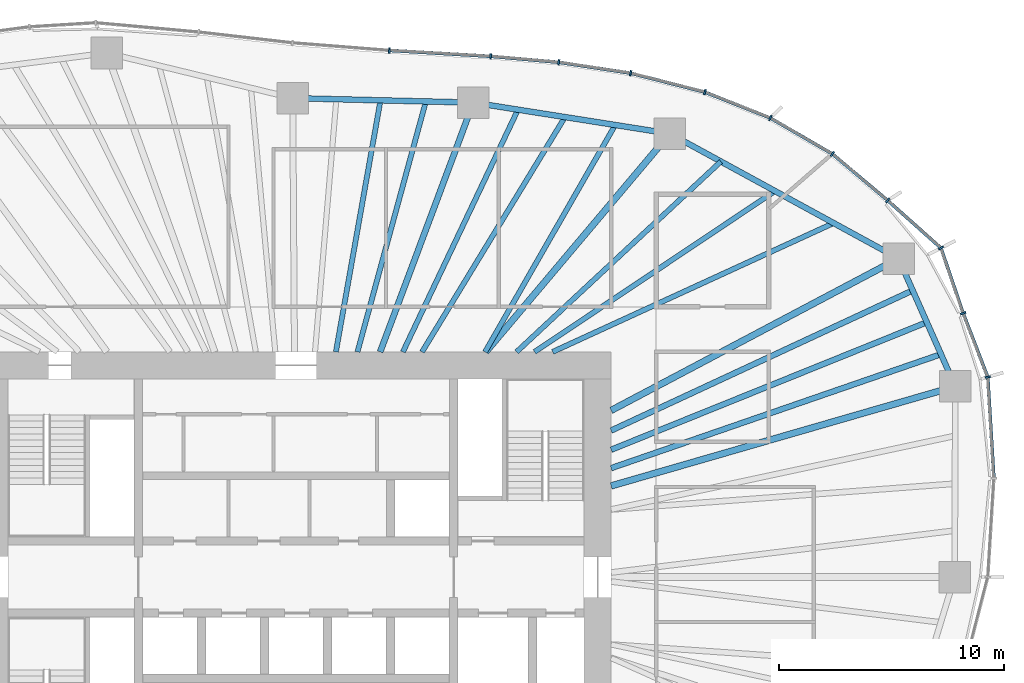
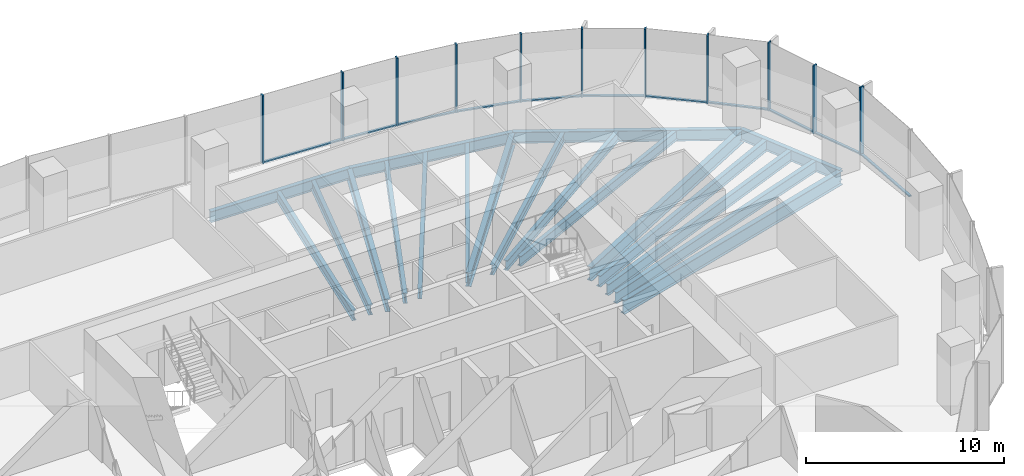
# One storey, part 6 of 18: 22 members, 19 beams, 5 elements without a shape of their own.
"""IFC4 building model written with IfcOpenShell, lengths in metres."""

import ifcopenshell
import ifcopenshell.guid

model = None  # the IFC model being written
_history = None  # IfcOwnerHistory: only IFC2X3 demands one
_inside = {}  # id of a spatial element -> (the spatial element, [elements in it])
_under = {}  # id of a project, library or spatial element -> (it, [spatial elements below it])
_declared = {}  # id of a project -> (the project, [libraries it declares])
_typed = {}  # id of a type object -> (the type object, [elements of that type])
_made_of = {}  # id of a material, layer set ... -> (it, [elements and type objects made of it])


def new_model(schema):
    """Start an empty IFC model of exactly this schema.

    Asked for "IFC4X3", IfcOpenShell would pick the latest addendum, in which some entities
    have other attributes; the version numbers below select the first issue.
    IFC2X3 requires an IfcOwnerHistory on every rooted entity: one is made here for all.
    """
    global model, _history
    if schema == "IFC4X3":
        model = ifcopenshell.file(schema_version=(4, 3, 0, 0))
    else:
        model = ifcopenshell.file(schema=schema)
    _inside.clear()
    _under.clear()
    _declared.clear()
    _typed.clear()
    _made_of.clear()
    _history = None
    if model.schema == "IFC2X3":
        org = make("IfcOrganization", Name="unknown")
        user = make(
            "IfcPersonAndOrganization",
            ThePerson=make("IfcPerson", FamilyName="unknown"),
            TheOrganization=org,
        )
        app = make(
            "IfcApplication",
            ApplicationDeveloper=org,
            Version="unknown",
            ApplicationFullName="unknown",
            ApplicationIdentifier="unknown",
        )
        _history = make(
            "IfcOwnerHistory",
            OwningUser=user,
            OwningApplication=app,
            ChangeAction="ADDED",
            CreationDate=0,
        )
    return model


def make(cls, **values):
    """One entity of the class cls with the attributes given. An attribute that is None is left unset."""
    return model.create_entity(
        cls, **{name: value for name, value in values.items() if value is not None}
    )


def rooted(cls, **values):
    """An entity with a GlobalId (a new one), such as an element, a storey or a relation."""
    return make(cls, GlobalId=ifcopenshell.guid.new(), OwnerHistory=_history, **values)


def si_unit(unit_type, name, prefix=None):
    """IfcSIUnit, for example si_unit("LENGTHUNIT", "METRE", prefix="MILLI")."""
    return make("IfcSIUnit", UnitType=unit_type, Prefix=prefix, Name=name)


def assignment(units):
    """IfcUnitAssignment: the units of a project."""
    return None if units is None else make("IfcUnitAssignment", Units=units)


def point(xyz):
    """IfcCartesianPoint."""
    return None if xyz is None else make("IfcCartesianPoint", Coordinates=xyz)


def direction(xyz):
    """IfcDirection."""
    return None if xyz is None else make("IfcDirection", DirectionRatios=xyz)


def frame(location, z_axis=None, x_axis=None):
    """IfcAxis2Placement3D, a coordinate frame: its origin and axes. An axis left out is left unset."""
    return make(
        "IfcAxis2Placement3D",
        Location=point(location),
        Axis=direction(z_axis),
        RefDirection=direction(x_axis),
    )


def frame_2d(location, x_axis=None):
    """IfcAxis2Placement2D, a coordinate frame in the plane: its origin and x axis."""
    return make(
        "IfcAxis2Placement2D", Location=point(location), RefDirection=direction(x_axis)
    )


def origin():
    """The frame at (0, 0, 0) with its axes left unset."""
    return frame((0.0, 0.0, 0.0))


def origin_2d():
    """The frame at (0, 0) in the plane with its x axis left unset."""
    return frame_2d((0.0, 0.0))


def place(relative_to, where):
    """IfcLocalPlacement: puts the frame where relative to a parent placement (None: the world)."""
    return make(
        "IfcLocalPlacement", PlacementRelTo=relative_to, RelativePlacement=where
    )


def context(
    kind, dimensions, precision=None, world=None, true_north=None, identifier=None
):
    """IfcGeometricRepresentationContext, for example the 3D "Model" context."""
    return make(
        "IfcGeometricRepresentationContext",
        ContextIdentifier=identifier,
        ContextType=kind,
        CoordinateSpaceDimension=dimensions,
        Precision=precision,
        WorldCoordinateSystem=world,
        TrueNorth=true_north,
    )


def subcontext(parent, identifier, kind, view, scale=None):
    """IfcGeometricRepresentationSubContext, for example "Body" below "Model"."""
    return make(
        "IfcGeometricRepresentationSubContext",
        ContextIdentifier=identifier,
        ContextType=kind,
        ParentContext=parent,
        TargetScale=scale,
        TargetView=view,
    )


def project(units=None, contexts=None):
    """IfcProject with its units and contexts."""
    return rooted(
        "IfcProject",
        Name="project",
        RepresentationContexts=contexts,
        UnitsInContext=assignment(units),
    )


def spatial(cls, under=None, at=None, **own):
    """A site, building, storey or space (cls), placed at a placement, below another one or the project."""
    s = rooted(cls, ObjectPlacement=at, **own)
    if under is not None:
        _under.setdefault(under.id(), (under, []))[1].append(s)
    return s


def profile(cls, at=None, kind="AREA", **sizes):
    """A parametric profile (cls). Its sizes go by their IFC names, for example OverallWidth=200.0."""
    return make(cls, ProfileType=kind, Position=at, **sizes)


def rectangle(**sizes):
    """IfcRectangleProfileDef."""
    return profile("IfcRectangleProfileDef", **sizes)


def i_section(**sizes):
    """IfcIShapeProfileDef."""
    return profile("IfcIShapeProfileDef", **sizes)


def extrude(swept, where, along, depth):
    """IfcExtrudedAreaSolid: the profile swept, set in the frame where, extruded along a direction by depth."""
    return make(
        "IfcExtrudedAreaSolid",
        SweptArea=swept,
        Position=where,
        ExtrudedDirection=direction(along),
        Depth=depth,
    )


def shape(context_of_items, identifier, shape_type, items):
    """IfcShapeRepresentation: the items that make up one representation, for example the "Body"."""
    return make(
        "IfcShapeRepresentation",
        ContextOfItems=context_of_items,
        RepresentationIdentifier=identifier,
        RepresentationType=shape_type,
        Items=items,
    )


def material(Name=None, Category=None):
    """IfcMaterial."""
    return make("IfcMaterial", Name=Name, Category=Category)


def material_profile(
    of_material, cross_section, Name=None, Category=None, Priority=None
):
    """IfcMaterialProfile: a cross section and its material."""
    return make(
        "IfcMaterialProfile",
        Name=Name,
        Material=of_material,
        Profile=cross_section,
        Priority=Priority,
        Category=Category,
    )


def profile_set(profiles, Name=None, composite=None):
    """IfcMaterialProfileSet."""
    return make(
        "IfcMaterialProfileSet",
        Name=Name,
        MaterialProfiles=profiles,
        CompositeProfile=composite,
    )


def made_of(thing, what):
    """Note that an element or type object is made of a material, layer set ...; save() writes the relation."""
    if what is not None:
        _made_of.setdefault(what.id(), (what, []))[1].append(thing)
    return thing


def type_object(cls, material=None, **own):
    """A type object (cls), such as IfcWallType, which elements share."""
    return made_of(rooted(cls, **own), material)


def element(
    cls,
    number,
    at=None,
    inside=None,
    cuts=None,
    type_object=None,
    material=None,
    context=None,
    identifier="Body",
    shape_type=None,
    held_by="IfcProductDefinitionShape",
    body=None,
    shapes=None,
    **own,
):
    """One element of the class cls, such as IfcWall. Its Tag is "e" and its number.

    at: its placement. inside: the storey or other place that contains it. cuts: it is an
    opening in that element (IfcRelVoidsElement). A single representation is given by context,
    identifier, shape_type and body (its items); several are given by shapes. held_by: the class
    of the entity that holds the representations. save() writes the other relations.
    """
    e = rooted(cls, Tag="e%d" % number, ObjectPlacement=at, **own)
    if body is not None:
        shapes = [shape(context, identifier, shape_type, body)]
    if shapes is not None:
        e.Representation = make(held_by, Representations=shapes)
    if inside is not None:
        _inside.setdefault(inside.id(), (inside, []))[1].append(e)
    if cuts is not None:
        rooted(
            "IfcRelVoidsElement", RelatingBuildingElement=cuts, RelatedOpeningElement=e
        )
    if type_object is not None:
        _typed.setdefault(type_object.id(), (type_object, []))[1].append(e)
    return made_of(e, material)


def aggregate(whole, parts):
    """IfcRelAggregates: a whole, such as a stair, and the parts it consists of."""
    return rooted("IfcRelAggregates", RelatingObject=whole, RelatedObjects=parts)


def save(model, path):
    """Write the relations noted so far, then the file.

    IfcRelAggregates (storeys below a building ...), IfcRelContainedInSpatialStructure (elements
    in a storey), IfcRelDefinesByType, IfcRelAssociatesMaterial and IfcRelDeclares: one each for
    every whole, place, type object, material and project.
    """
    for whole, parts in _under.values():
        aggregate(whole, parts)
    for where, things in _inside.values():
        rooted(
            "IfcRelContainedInSpatialStructure",
            RelatedElements=things,
            RelatingStructure=where,
        )
    for kind, things in _typed.values():
        rooted("IfcRelDefinesByType", RelatedObjects=things, RelatingType=kind)
    for what, things in _made_of.values():
        rooted("IfcRelAssociatesMaterial", RelatedObjects=things, RelatingMaterial=what)
    for by, libraries in _declared.values():
        rooted("IfcRelDeclares", RelatingContext=by, RelatedDefinitions=libraries)
    model.write(path)


model = new_model("IFC4")

# Units and contexts
model_context = context("Model", 3, precision=1e-05, world=origin(), true_north=direction((0.0, 1.0)))
body_context = subcontext(model_context, "Body", "Model", "MODEL_VIEW")
ifc_project = project(units=[si_unit("LENGTHUNIT", "METRE"), si_unit("AREAUNIT", "SQUARE_METRE"), si_unit("VOLUMEUNIT", "CUBIC_METRE"), si_unit("PLANEANGLEUNIT", "RADIAN"), si_unit("MASSUNIT", "GRAM", prefix="KILO")], contexts=[model_context])

# Site, building, storey
site_placement = place(None, origin())
site = spatial("IfcSite", under=ifc_project, at=site_placement, CompositionType="ELEMENT")
building_placement = place(site_placement, origin())
building = spatial("IfcBuilding", under=site, at=building_placement, Name="Ghaith Harvest Tower", CompositionType="ELEMENT")
storey_placement = place(building_placement, frame((0.0, 0.0, 147.0)))
storey = spatial("IfcBuildingStorey", under=building, at=storey_placement, Name="L31", CompositionType="ELEMENT", Elevation=147.0)

# Curtain wall, members
ifc_material_1 = material(Name="Black anodised aluminium and fritted glass", Category="aluminium")
curtain_wall_type = type_object("IfcCurtainWallType", Name="CW-L CURTAIN WALL", PredefinedType="NOTDEFINED", material=ifc_material_1)
curtain_wall_1_placement = place(storey_placement, origin())
curtain_wall_1 = element("IfcCurtainWall", 1, at=curtain_wall_1_placement, inside=storey, type_object=curtain_wall_type, Name="Curtain wall CW-L bay 02 L31", PredefinedType="NOTDEFINED")
ifc_material_2 = material(Name="Aluminium, black anodised", Category="aluminium")
ifc_material_profile_1 = material_profile(ifc_material_2, rectangle(XDim=0.080078125, YDim=0.239990234375, at=origin_2d()), Name="CW-L MULLION 80x240")
ifc_profile_set_1 = profile_set([ifc_material_profile_1], Name="Aluminium, black anodised")
member_type_1 = type_object("IfcMemberType", Name="CW-L MULLION 80x240", PredefinedType="MULLION", material=ifc_profile_set_1)
member_1_placement = place(storey_placement, frame((30.727294921875, 8.880859375, 0.0), z_axis=(0.0, 0.0, 1.0), x_axis=(-0.183070248196, 0.983099834313, 0.0)))
member_1 = element("IfcMember", 2, at=member_1_placement, type_object=member_type_1, Name="CW-L mullion 1 bay 02 L31", PredefinedType="MULLION", context=body_context, shape_type="SweptSolid", body=[
    extrude(rectangle(XDim=0.080078125, YDim=0.239990234375, at=origin_2d()), origin(), (0.0, 0.0, 1.0), 4.199951171875),
])
member_2_placement = place(storey_placement, frame((29.634521484375, 11.7158203125, 0.0), z_axis=(0.0, 0.0, 1.0), x_axis=(-0.340771198528, 0.940146260033, 0.0)))
member_2 = element("IfcMember", 3, at=member_2_placement, type_object=member_type_1, Name="CW-L mullion 2 bay 02 L31", PredefinedType="MULLION", context=body_context, shape_type="SweptSolid", body=[
    extrude(rectangle(XDim=0.080078125, YDim=0.239990234375, at=origin_2d()), origin(), (0.0, 0.0, 1.0), 4.199951171875),
])
member_3_placement = place(storey_placement, frame((28.64990234375, 14.61181640625, 0.0), z_axis=(0.0, 0.0, 1.0), x_axis=(-0.556324287652, 0.830965274225, 0.0)))
member_3 = element("IfcMember", 4, at=member_3_placement, type_object=member_type_1, Name="CW-L mullion 3 bay 02 L31", PredefinedType="MULLION", context=body_context, shape_type="SweptSolid", body=[
    extrude(rectangle(XDim=0.080078125, YDim=0.239990234375, at=origin_2d()), origin(), (0.0, 0.0, 1.0), 4.199951171875),
])

curtain_wall_2_placement = place(storey_placement, origin())
curtain_wall_2 = element("IfcCurtainWall", 5, at=curtain_wall_2_placement, inside=storey, type_object=curtain_wall_type, Name="Curtain wall CW-L bay 03 L31", PredefinedType="NOTDEFINED")
member_4_placement = place(storey_placement, frame((26.28076171875, 16.725341796875, 0.0), z_axis=(0.0, 0.0, 1.0), x_axis=(-0.755999423268, 0.654572281737, 0.0)))
member_4 = element("IfcMember", 6, at=member_4_placement, type_object=member_type_1, Name="CW-L mullion 1 bay 03 L31", PredefinedType="MULLION", context=body_context, shape_type="SweptSolid", body=[
    extrude(rectangle(XDim=0.080078125, YDim=0.239990234375, at=origin_2d()), origin(), (0.0, 0.0, 1.0), 4.199951171875),
])
member_5_placement = place(storey_placement, frame((23.82177734375, 18.792236328125, 0.0), z_axis=(0.0, 0.0, 1.0), x_axis=(-0.818228862146, 0.574892624018, 0.0)))
member_5 = element("IfcMember", 7, at=member_5_placement, type_object=member_type_1, Name="CW-L mullion 2 bay 03 L31", PredefinedType="MULLION", context=body_context, shape_type="SweptSolid", body=[
    extrude(rectangle(XDim=0.080078125, YDim=0.239990234375, at=origin_2d()), origin(), (0.0, 0.0, 1.0), 4.199951171875),
])
member_6_placement = place(storey_placement, frame((21.066162109375, 20.38916015625, 0.0), z_axis=(0.0, 0.0, 1.0), x_axis=(-0.899713343282, 0.436481270985, 0.0)))
member_6 = element("IfcMember", 8, at=member_6_placement, type_object=member_type_1, Name="CW-L mullion 3 bay 03 L31", PredefinedType="MULLION", context=body_context, shape_type="SweptSolid", body=[
    extrude(rectangle(XDim=0.080078125, YDim=0.239990234375, at=origin_2d()), origin(), (0.0, 0.0, 1.0), 4.199951171875),
])

curtain_wall_3_placement = place(storey_placement, origin())
curtain_wall_3 = element("IfcCurtainWall", 9, at=curtain_wall_3_placement, inside=storey, type_object=curtain_wall_type, Name="Curtain wall CW-L bay 04 L31", PredefinedType="NOTDEFINED")
member_7_placement = place(storey_placement, frame((18.162353515625, 21.537841796875, 0.0), z_axis=(0.0, 0.0, 1.0), x_axis=(-0.952152258113, 0.30562407852, 0.0)))
member_7 = element("IfcMember", 10, at=member_7_placement, type_object=member_type_1, Name="CW-L mullion 1 bay 04 L31", PredefinedType="MULLION", context=body_context, shape_type="SweptSolid", body=[
    extrude(rectangle(XDim=0.080078125, YDim=0.239990234375, at=origin_2d()), origin(), (0.0, 0.0, 1.0), 4.199951171875),
])
member_8_placement = place(storey_placement, frame((14.86474609375, 22.379638671875, 0.0), z_axis=(0.0, 0.0, 1.0), x_axis=(-0.979751952122, 0.200215165041, 0.0)))
member_8 = element("IfcMember", 11, at=member_8_placement, type_object=member_type_1, Name="CW-L mullion 2 bay 04 L31", PredefinedType="MULLION", context=body_context, shape_type="SweptSolid", body=[
    extrude(rectangle(XDim=0.080078125, YDim=0.239990234375, at=origin_2d()), origin(), (0.0, 0.0, 1.0), 4.199951171875),
])
member_9_placement = place(storey_placement, frame((11.672607421875, 22.864013671875, 0.0), z_axis=(0.0, 0.0, 1.0), x_axis=(-0.992800497873, 0.119779678673, 0.0)))
member_9 = element("IfcMember", 12, at=member_9_placement, type_object=member_type_1, Name="CW-L mullion 3 bay 04 L31", PredefinedType="MULLION", context=body_context, shape_type="SweptSolid", body=[
    extrude(rectangle(XDim=0.080078125, YDim=0.239990234375, at=origin_2d()), origin(), (0.0, 0.0, 1.0), 4.199951171875),
])

curtain_wall_4_placement = place(storey_placement, origin())
curtain_wall_4 = element("IfcCurtainWall", 13, at=curtain_wall_4_placement, inside=storey, type_object=curtain_wall_type, Name="Curtain wall CW-L bay 05 L31", PredefinedType="NOTDEFINED")
member_10_placement = place(storey_placement, frame((8.646728515625, 23.1298828125, 0.0), z_axis=(0.0, 0.0, 1.0), x_axis=(-0.997558767319, 0.069831982257, 0.0)))
member_10 = element("IfcMember", 14, at=member_10_placement, type_object=member_type_1, Name="CW-L mullion 1 bay 05 L31", PredefinedType="MULLION", context=body_context, shape_type="SweptSolid", body=[
    extrude(rectangle(XDim=0.080078125, YDim=0.239990234375, at=origin_2d()), origin(), (0.0, 0.0, 1.0), 4.199951171875),
])
member_11_placement = place(storey_placement, frame((4.146728515625, 23.390869140625, 0.0), z_axis=(0.0, 0.0, 1.0), x_axis=(-0.997689895047, 0.067932858925, 0.0)))
member_11 = element("IfcMember", 15, at=member_11_placement, type_object=member_type_1, Name="CW-L mullion 2 bay 05 L31", PredefinedType="MULLION", context=body_context, shape_type="SweptSolid", body=[
    extrude(rectangle(XDim=0.080078125, YDim=0.239990234375, at=origin_2d()), origin(), (0.0, 0.0, 1.0), 4.199951171875),
])

# Curtain wall, member
curtain_wall_5_placement = place(storey_placement, origin())
curtain_wall_5 = element("IfcCurtainWall", 16, at=curtain_wall_5_placement, inside=storey, type_object=curtain_wall_type, Name="Curtain wall CW-L bay 01 L31", PredefinedType="NOTDEFINED")
ifc_material_3 = material(Name="Aluminium, black anodised", Category="aluminium")
ifc_material_profile_2 = material_profile(ifc_material_3, rectangle(XDim=0.14990234375, YDim=0.080078125, at=origin_2d()), Name="CW-L TRANSOM 150x80")
ifc_profile_set_2 = profile_set([ifc_material_profile_2], Name="Aluminium, black anodised")
member_type_2 = type_object("IfcMemberType", Name="CW-L TRANSOM 150x80", PredefinedType="USERDEFINED", material=ifc_profile_set_2)
member_12_placement = place(storey_placement, frame((30.996337890625, 4.4296875, 0.0400390625), z_axis=(-0.060328261132, 0.99817859169, 0.0), x_axis=(-0.99817859169, -0.060328261132, 0.0)))
member_12 = element("IfcMember", 17, at=member_12_placement, type_object=member_type_2, Name="CW-L transom 2 bay 01 L31", ObjectType="TRANSOM", PredefinedType="USERDEFINED", context=body_context, shape_type="SweptSolid", body=[
    extrude(rectangle(XDim=0.14990234375, YDim=0.080078125, at=origin_2d()), origin(), (0.0, 0.0, 1.0), 4.419189453125),
])
aggregate(curtain_wall_5, [member_12])

# Member
member_13_placement = place(storey_placement, frame((30.712890625, 8.918212890625, 0.0400390625), z_axis=(-0.359637050526, 0.933092274048, 0.0), x_axis=(-0.933092274048, -0.359637050526, 0.0)))
member_13 = element("IfcMember", 18, at=member_13_placement, type_object=member_type_2, Name="CW-L transom 1 bay 02 L31", ObjectType="TRANSOM", PredefinedType="USERDEFINED", context=body_context, shape_type="SweptSolid", body=[
    extrude(rectangle(XDim=0.14990234375, YDim=0.080078125, at=origin_2d()), origin(), (0.0, 0.0, 1.0), 2.95849609375),
])

member_14_placement = place(storey_placement, frame((29.62158203125, 11.75390625, 0.0400390625), z_axis=(-0.321877752664, 0.946781237847, 0.0), x_axis=(-0.946781237847, -0.321877752664, 0.0)))
member_14 = element("IfcMember", 19, at=member_14_placement, type_object=member_type_2, Name="CW-L transom 2 bay 02 L31", ObjectType="TRANSOM", PredefinedType="USERDEFINED", context=body_context, shape_type="SweptSolid", body=[
    extrude(rectangle(XDim=0.14990234375, YDim=0.080078125, at=origin_2d()), origin(), (0.0, 0.0, 1.0), 2.978515625),
])

member_15_placement = place(storey_placement, frame((28.6201171875, 14.638427734375, 0.0400390625), z_axis=(-0.74622871112, 0.665689650438, 0.0), x_axis=(-0.665689650438, -0.74622871112, 0.0)))
member_15 = element("IfcMember", 20, at=member_15_placement, type_object=member_type_2, Name="CW-L transom 3 bay 02 L31", ObjectType="TRANSOM", PredefinedType="USERDEFINED", context=body_context, shape_type="SweptSolid", body=[
    extrude(rectangle(XDim=0.14990234375, YDim=0.080078125, at=origin_2d()), origin(), (0.0, 0.0, 1.0), 3.094970703125),
])

aggregate(curtain_wall_1, [member_1, member_13, member_2, member_14, member_3, member_15])

member_16_placement = place(storey_placement, frame((26.25, 16.7509765625, 0.0400390625), z_axis=(-0.765428400685, 0.643521066808, 0.0), x_axis=(-0.643521066808, -0.765428400685, 0.0)))
member_16 = element("IfcMember", 21, at=member_16_placement, type_object=member_type_2, Name="CW-L transom 1 bay 03 L31", ObjectType="TRANSOM", PredefinedType="USERDEFINED", context=body_context, shape_type="SweptSolid", body=[
    extrude(rectangle(XDim=0.14990234375, YDim=0.080078125, at=origin_2d()), origin(), (0.0, 0.0, 1.0), 3.132080078125),
])

member_17_placement = place(storey_placement, frame((23.787353515625, 18.812255859375, 0.0400390625), z_axis=(-0.865212673937, 0.50140505468, 0.0), x_axis=(-0.50140505468, -0.865212673937, 0.0)))
member_17 = element("IfcMember", 22, at=member_17_placement, type_object=member_type_2, Name="CW-L transom 2 bay 03 L31", ObjectType="TRANSOM", PredefinedType="USERDEFINED", context=body_context, shape_type="SweptSolid", body=[
    extrude(rectangle(XDim=0.14990234375, YDim=0.080078125, at=origin_2d()), origin(), (0.0, 0.0, 1.0), 3.10498046875),
])

member_18_placement = place(storey_placement, frame((21.029052734375, 20.40380859375, 0.0400390625), z_axis=(-0.929880954826, 0.367860584804, 0.0), x_axis=(-0.367860584804, -0.929880954826, 0.0)))
member_18 = element("IfcMember", 23, at=member_18_placement, type_object=member_type_2, Name="CW-L transom 3 bay 03 L31", ObjectType="TRANSOM", PredefinedType="USERDEFINED", context=body_context, shape_type="SweptSolid", body=[
    extrude(rectangle(XDim=0.14990234375, YDim=0.080078125, at=origin_2d()), origin(), (0.0, 0.0, 1.0), 3.04296875),
])

aggregate(curtain_wall_2, [member_4, member_16, member_5, member_17, member_6, member_18])

member_19_placement = place(storey_placement, frame((18.12353515625, 21.5478515625, 0.0400390625), z_axis=(-0.968942433805, 0.247286392614, 0.0), x_axis=(-0.247286392614, -0.968942433805, 0.0)))
member_19 = element("IfcMember", 24, at=member_19_placement, type_object=member_type_2, Name="CW-L transom 1 bay 04 L31", ObjectType="TRANSOM", PredefinedType="USERDEFINED", context=body_context, shape_type="SweptSolid", body=[
    extrude(rectangle(XDim=0.14990234375, YDim=0.080078125, at=origin_2d()), origin(), (0.0, 0.0, 1.0), 3.3232421875),
])

member_20_placement = place(storey_placement, frame((14.8251953125, 22.3857421875, 0.0400390625), z_axis=(-0.988680676153, 0.150035064572, 0.0), x_axis=(-0.150035064572, -0.988680676153, 0.0)))
member_20 = element("IfcMember", 25, at=member_20_placement, type_object=member_type_2, Name="CW-L transom 2 bay 04 L31", ObjectType="TRANSOM", PredefinedType="USERDEFINED", context=body_context, shape_type="SweptSolid", body=[
    extrude(rectangle(XDim=0.14990234375, YDim=0.080078125, at=origin_2d()), origin(), (0.0, 0.0, 1.0), 3.148681640625),
])

member_21_placement = place(storey_placement, frame((11.632568359375, 22.86767578125, 0.0400390625), z_axis=(-0.996171193061, 0.087423990507, 0.0), x_axis=(-0.087423990507, -0.996171193061, 0.0)))
member_21 = element("IfcMember", 26, at=member_21_placement, type_object=member_type_2, Name="CW-L transom 3 bay 04 L31", ObjectType="TRANSOM", PredefinedType="USERDEFINED", context=body_context, shape_type="SweptSolid", body=[
    extrude(rectangle(XDim=0.14990234375, YDim=0.080078125, at=origin_2d()), origin(), (0.0, 0.0, 1.0), 2.957275390625),
])

aggregate(curtain_wall_3, [member_7, member_19, member_8, member_20, member_9, member_21])

member_22_placement = place(storey_placement, frame((8.60693359375, 23.132080078125, 0.0400390625), z_axis=(-0.998319515187, 0.057949509028, 0.0), x_axis=(-0.057949509028, -0.998319515187, 0.0)))
member_22 = element("IfcMember", 27, at=member_22_placement, type_object=member_type_2, Name="CW-L transom 1 bay 05 L31", ObjectType="TRANSOM", PredefinedType="USERDEFINED", context=body_context, shape_type="SweptSolid", body=[
    extrude(rectangle(XDim=0.14990234375, YDim=0.080078125, at=origin_2d()), origin(), (0.0, 0.0, 1.0), 4.427734375),
])

aggregate(curtain_wall_4, [member_10, member_22, member_11])

# Beams
ifc_material_4 = material(Name="Steel ASTM A992 Grade 50", Category="steel")
ifc_material_profile_3 = material_profile(ifc_material_4, i_section(OverallWidth=0.25390625, OverallDepth=0.68408203125, WebThickness=0.012451171875, FlangeThickness=0.018798828125, at=origin_2d()), Name="W690X140")
ifc_profile_set_3 = profile_set([ifc_material_profile_3], Name="Steel ASTM A992 Grade 50")
beam_type_1 = type_object("IfcBeamType", Name="E690-140 W690X140", PredefinedType="SPANDREL", material=ifc_profile_set_3)
beam_1_placement = place(storey_placement, frame((29.285888671875, 8.464111328125, -0.511962890625), z_axis=(-0.405635615749, 0.914034872002, 0.0), x_axis=(-0.914034872002, -0.405635615749, 0.0)))
element("IfcBeam", 28, at=beam_1_placement, inside=storey, type_object=beam_type_1, Name="Edge beam E02 L31", PredefinedType="SPANDREL", context=body_context, shape_type="SweptSolid", body=[
    extrude(i_section(OverallWidth=0.25390625, OverallDepth=0.68408203125, WebThickness=0.012451171875, FlangeThickness=0.018798828125, at=origin_2d()), origin(), (0.0, 0.0, 1.0), 6.21728515625),
])
beam_2_placement = place(storey_placement, frame((26.763916015625, 14.14697265625, -0.511962890625), z_axis=(-0.877588218279, 0.479415184509, 0.0), x_axis=(-0.479415184509, -0.877588218279, 0.0)))
element("IfcBeam", 29, at=beam_2_placement, inside=storey, type_object=beam_type_1, Name="Edge beam E03 L31", PredefinedType="SPANDREL", context=body_context, shape_type="SweptSolid", body=[
    extrude(i_section(OverallWidth=0.25390625, OverallDepth=0.68408203125, WebThickness=0.012451171875, FlangeThickness=0.018798828125, at=origin_2d()), origin(), (0.0, 0.0, 1.0), 11.57275390625),
])
beam_3_placement = place(storey_placement, frame((16.60791015625, 19.695068359375, -0.511962890625), z_axis=(-0.987788485872, 0.155800857439, 0.0), x_axis=(-0.155800857439, -0.987788485872, 0.0)))
element("IfcBeam", 30, at=beam_3_placement, inside=storey, type_object=beam_type_1, Name="Edge beam E04 L31", PredefinedType="SPANDREL", context=body_context, shape_type="SweptSolid", body=[
    extrude(i_section(OverallWidth=0.25390625, OverallDepth=0.68408203125, WebThickness=0.012451171875, FlangeThickness=0.018798828125, at=origin_2d()), origin(), (0.0, 0.0, 1.0), 8.837890625),
])
beam_4_placement = place(storey_placement, frame((7.8779296875, 21.072021484375, -0.511962890625), z_axis=(-0.999692679676, 0.024790042413, 0.0), x_axis=(-0.024790042413, -0.999692679676, 0.0)))
element("IfcBeam", 31, at=beam_4_placement, inside=storey, type_object=beam_type_1, Name="Edge beam E05 L31", PredefinedType="SPANDREL", context=body_context, shape_type="SweptSolid", body=[
    extrude(i_section(OverallWidth=0.25390625, OverallDepth=0.68408203125, WebThickness=0.012451171875, FlangeThickness=0.018798828125, at=origin_2d()), origin(), (0.0, 0.0, 1.0), 8.0263671875),
])
ifc_material_5 = material(Name="Steel ASTM A992 Grade 50", Category="steel")
ifc_material_profile_4 = material_profile(ifc_material_5, i_section(OverallWidth=0.26806640625, OverallDepth=0.77001953125, WebThickness=0.015625, FlangeThickness=0.025390625, at=origin_2d()), Name="W760X196")
ifc_profile_set_4 = profile_set([ifc_material_profile_4], Name="Steel ASTM A992 Grade 50")
beam_type_2 = type_object("IfcBeamType", Name="G760-196 W760X196", PredefinedType="BEAM", material=ifc_profile_set_4)
beam_5_placement = place(storey_placement, frame((3.73828125, 10.0, -0.554931640625), z_axis=(0.350206582147, 0.936672488024, 0.0), x_axis=(-0.936672488024, 0.350206582147, 0.0)))
element("IfcBeam", 32, at=beam_5_placement, inside=storey, type_object=beam_type_2, Name="Radial girder G05 L31", PredefinedType="BEAM", context=body_context, shape_type="SweptSolid", body=[
    extrude(i_section(OverallWidth=0.26806640625, OverallDepth=0.77001953125, WebThickness=0.015625, FlangeThickness=0.025390625, at=origin_2d()), origin(), (0.0, 0.0, 1.0), 11.820556640625),
])
ifc_material_6 = material(Name="Steel ASTM A992 Grade 50", Category="steel")
ifc_material_profile_5 = material_profile(ifc_material_6, i_section(OverallWidth=0.2939453125, OverallDepth=0.85107421875, WebThickness=0.01611328125, FlangeThickness=0.02685546875, at=origin_2d()), Name="W840X226")
ifc_profile_set_5 = profile_set([ifc_material_profile_5], Name="Steel ASTM A992 Grade 50")
beam_type_3 = type_object("IfcBeamType", Name="G840-226 W840X226", PredefinedType="BEAM", material=ifc_profile_set_5)
beam_6_placement = place(storey_placement, frame((14.0, 4.04638671875, -0.595458984375), z_axis=(0.960683993303, 0.27764413376, 0.0), x_axis=(-0.27764413376, 0.960683993303, 0.0)))
element("IfcBeam", 33, at=beam_6_placement, inside=storey, type_object=beam_type_3, Name="Radial girder G02 L31", PredefinedType="BEAM", context=body_context, shape_type="SweptSolid", body=[
    extrude(i_section(OverallWidth=0.2939453125, OverallDepth=0.85107421875, WebThickness=0.01611328125, FlangeThickness=0.02685546875, at=origin_2d()), origin(), (0.0, 0.0, 1.0), 15.911376953125),
])
beam_7_placement = place(storey_placement, frame((14.0, 7.39990234375, -0.595458984375), z_axis=(0.884082663971, 0.467330550324, 0.0), x_axis=(-0.467330550324, 0.884082663971, 0.0)))
element("IfcBeam", 34, at=beam_7_placement, inside=storey, type_object=beam_type_3, Name="Radial girder G03 L31", PredefinedType="BEAM", context=body_context, shape_type="SweptSolid", body=[
    extrude(i_section(OverallWidth=0.2939453125, OverallDepth=0.85107421875, WebThickness=0.01611328125, FlangeThickness=0.02685546875, at=origin_2d()), origin(), (0.0, 0.0, 1.0), 14.4375),
])
beam_8_placement = place(storey_placement, frame((8.4326171875, 10.0, -0.595458984375), z_axis=(0.644644245772, 0.764482698557, 0.0), x_axis=(-0.764482698557, 0.644644245772, 0.0)))
element("IfcBeam", 35, at=beam_8_placement, inside=storey, type_object=beam_type_3, Name="Radial girder G04 L31", PredefinedType="BEAM", context=body_context, shape_type="SweptSolid", body=[
    extrude(i_section(OverallWidth=0.2939453125, OverallDepth=0.85107421875, WebThickness=0.01611328125, FlangeThickness=0.02685546875, at=origin_2d()), origin(), (0.0, 0.0, 1.0), 12.681884765625),
])
ifc_material_7 = material(Name="Steel ASTM A992 Grade 50", Category="steel")
ifc_material_profile_6 = material_profile(ifc_material_7, i_section(OverallWidth=0.22900390625, OverallDepth=0.612060546875, WebThickness=0.011962890625, FlangeThickness=0.01953125, at=origin_2d()), Name="W610X125")
ifc_profile_set_6 = profile_set([ifc_material_profile_6], Name="Steel ASTM A992 Grade 50")
beam_type_4 = type_object("IfcBeamType", Name="J610-125 W610X125", PredefinedType="JOIST", material=ifc_profile_set_6)
beam_9_placement = place(storey_placement, frame((11.39990234375, 10.0, -0.47607421875), z_axis=(0.909014022454, 0.416765529983, 0.0), x_axis=(-0.416765529983, 0.909014022454, 0.0)))
element("IfcBeam", 36, at=beam_9_placement, inside=storey, type_object=beam_type_4, Name="Joist J03.1 L31", PredefinedType="JOIST", context=body_context, shape_type="SweptSolid", body=[
    extrude(i_section(OverallWidth=0.22900390625, OverallDepth=0.612060546875, WebThickness=0.011962890625, FlangeThickness=0.01953125, at=origin_2d()), origin(), (0.0, 0.0, 1.0), 13.72998046875),
])
beam_10_placement = place(storey_placement, frame((10.60009765625, 10.0, -0.47607421875), z_axis=(0.831116486766, 0.556098359489, 0.0), x_axis=(-0.556098359489, 0.831116486766, 0.0)))
element("IfcBeam", 37, at=beam_10_placement, inside=storey, type_object=beam_type_4, Name="Joist J03.2 L31", PredefinedType="JOIST", context=body_context, shape_type="SweptSolid", body=[
    extrude(i_section(OverallWidth=0.22900390625, OverallDepth=0.612060546875, WebThickness=0.011962890625, FlangeThickness=0.01953125, at=origin_2d()), origin(), (0.0, 0.0, 1.0), 12.84716796875),
])
beam_11_placement = place(storey_placement, frame((9.800048828125, 10.0, -0.47607421875), z_axis=(0.731538123562, 0.681800538116, 0.0), x_axis=(-0.681800538116, 0.731538123562, 0.0)))
element("IfcBeam", 38, at=beam_11_placement, inside=storey, type_object=beam_type_4, Name="Joist J03.3 L31", PredefinedType="JOIST", context=body_context, shape_type="SweptSolid", body=[
    extrude(i_section(OverallWidth=0.22900390625, OverallDepth=0.612060546875, WebThickness=0.011962890625, FlangeThickness=0.01953125, at=origin_2d()), origin(), (0.0, 0.0, 1.0), 12.404052734375),
])
beam_12_placement = place(storey_placement, frame((8.39990234375, 10.0, -0.47607421875), z_axis=(0.497444212127, 0.867495968764, 0.0), x_axis=(-0.867495968764, 0.497444212127, 0.0)))
element("IfcBeam", 39, at=beam_12_placement, inside=storey, type_object=beam_type_4, Name="Joist J04.1 L31", PredefinedType="JOIST", context=body_context, shape_type="SweptSolid", body=[
    extrude(i_section(OverallWidth=0.22900390625, OverallDepth=0.612060546875, WebThickness=0.011962890625, FlangeThickness=0.01953125, at=origin_2d()), origin(), (0.0, 0.0, 1.0), 11.617431640625),
])
beam_13_placement = place(storey_placement, frame((5.60009765625, 10.0, -0.47607421875), z_axis=(0.519863845761, 0.854249133374, 0.0), x_axis=(-0.854249133374, 0.519863845761, 0.0)))
element("IfcBeam", 40, at=beam_13_placement, inside=storey, type_object=beam_type_4, Name="Joist J04.2 L31", PredefinedType="JOIST", context=body_context, shape_type="SweptSolid", body=[
    extrude(i_section(OverallWidth=0.22900390625, OverallDepth=0.612060546875, WebThickness=0.011962890625, FlangeThickness=0.01953125, at=origin_2d()), origin(), (0.0, 0.0, 1.0), 12.209716796875),
])
beam_14_placement = place(storey_placement, frame((4.75, 10.0, -0.47607421875), z_axis=(0.429069356877, 0.903271546651, 0.0), x_axis=(-0.903271546651, 0.429069356877, 0.0)))
element("IfcBeam", 41, at=beam_14_placement, inside=storey, type_object=beam_type_4, Name="Joist J04.3 L31", PredefinedType="JOIST", context=body_context, shape_type="SweptSolid", body=[
    extrude(i_section(OverallWidth=0.22900390625, OverallDepth=0.612060546875, WebThickness=0.011962890625, FlangeThickness=0.01953125, at=origin_2d()), origin(), (0.0, 0.0, 1.0), 11.911376953125),
])
beam_15_placement = place(storey_placement, frame((2.73095703125, 10.0, -0.47607421875), z_axis=(0.263455967932, 0.964671422279, 0.0), x_axis=(-0.964671422279, 0.263455967932, 0.0)))
element("IfcBeam", 42, at=beam_15_placement, inside=storey, type_object=beam_type_4, Name="Joist J05.1 L31", PredefinedType="JOIST", context=body_context, shape_type="SweptSolid", body=[
    extrude(i_section(OverallWidth=0.22900390625, OverallDepth=0.612060546875, WebThickness=0.011962890625, FlangeThickness=0.01953125, at=origin_2d()), origin(), (0.0, 0.0, 1.0), 11.53173828125),
])
beam_16_placement = place(storey_placement, frame((1.772705078125, 10.0, -0.47607421875), z_axis=(0.17455599258, 0.984647249249, 0.0), x_axis=(-0.984647249249, 0.17455599258, 0.0)))
element("IfcBeam", 43, at=beam_16_placement, inside=storey, type_object=beam_type_4, Name="Joist J05.2 L31", PredefinedType="JOIST", context=body_context, shape_type="SweptSolid", body=[
    extrude(i_section(OverallWidth=0.22900390625, OverallDepth=0.612060546875, WebThickness=0.011962890625, FlangeThickness=0.01953125, at=origin_2d()), origin(), (0.0, 0.0, 1.0), 11.3486328125),
])
ifc_material_8 = material(Name="Steel ASTM A992 Grade 50", Category="steel")
ifc_material_profile_7 = material_profile(ifc_material_8, i_section(OverallWidth=0.25390625, OverallDepth=0.68408203125, WebThickness=0.012451171875, FlangeThickness=0.018798828125, at=origin_2d()), Name="W690X140")
ifc_profile_set_7 = profile_set([ifc_material_profile_7], Name="Steel ASTM A992 Grade 50")
beam_type_5 = type_object("IfcBeamType", Name="J690-140 W690X140", PredefinedType="JOIST", material=ifc_profile_set_7)
beam_17_placement = place(storey_placement, frame((14.0, 4.835693359375, -0.511962890625), z_axis=(0.945204964965, 0.32647752481, 0.0), x_axis=(-0.32647752481, 0.945204964965, 0.0)))
element("IfcBeam", 44, at=beam_17_placement, inside=storey, type_object=beam_type_5, Name="Joist J02.1 L31", PredefinedType="JOIST", context=body_context, shape_type="SweptSolid", body=[
    extrude(i_section(OverallWidth=0.25390625, OverallDepth=0.68408203125, WebThickness=0.012451171875, FlangeThickness=0.018798828125, at=origin_2d()), origin(), (0.0, 0.0, 1.0), 15.499755859375),
])
beam_18_placement = place(storey_placement, frame((14.0, 5.653564453125, -0.511962890625), z_axis=(0.927247874511, 0.374448099495, 0.0), x_axis=(-0.374448099495, 0.927247874511, 0.0)))
element("IfcBeam", 45, at=beam_18_placement, inside=storey, type_object=beam_type_5, Name="Joist J02.2 L31", PredefinedType="JOIST", context=body_context, shape_type="SweptSolid", body=[
    extrude(i_section(OverallWidth=0.25390625, OverallDepth=0.68408203125, WebThickness=0.012451171875, FlangeThickness=0.018798828125, at=origin_2d()), origin(), (0.0, 0.0, 1.0), 15.12060546875),
])
beam_19_placement = place(storey_placement, frame((14.0, 6.506103515625, -0.511962890625), z_axis=(0.906865717917, 0.42141970726, 0.0), x_axis=(-0.42141970726, 0.906865717917, 0.0)))
element("IfcBeam", 46, at=beam_19_placement, inside=storey, type_object=beam_type_5, Name="Joist J02.3 L31", PredefinedType="JOIST", context=body_context, shape_type="SweptSolid", body=[
    extrude(i_section(OverallWidth=0.25390625, OverallDepth=0.68408203125, WebThickness=0.012451171875, FlangeThickness=0.018798828125, at=origin_2d()), origin(), (0.0, 0.0, 1.0), 14.768310546875),
])

save(model, "model.ifc")
